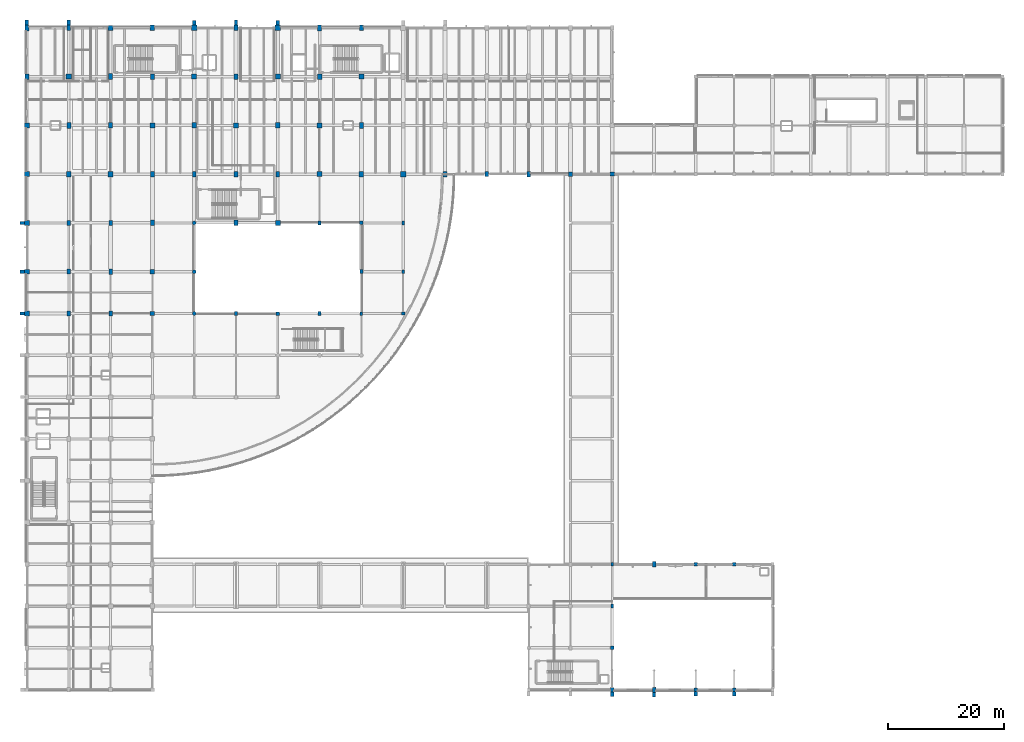
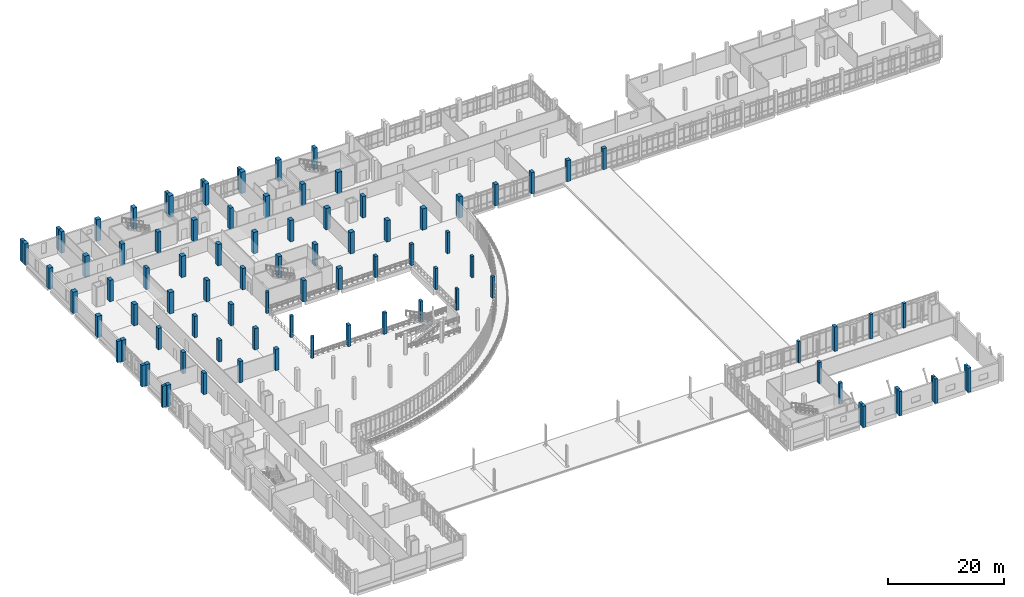
# One storey, part 6 of 134: 91 columns.
"""IFC4 building model written with IfcOpenShell, lengths in metres."""

from ifc_helpers import new_model, si_unit, direction, frame, origin, origin_2d, place, context, subcontext, project, spatial, rectangle, circle, extrude, material, material_profile, profile_set, type_object, element, save


model = new_model("IFC4")

# Units and contexts
model_context = context("Model", 3, precision=1e-05, world=origin(), true_north=direction((0.0, 1.0)))
body_context = subcontext(model_context, "Body", "Model", "MODEL_VIEW")
ifc_project = project(units=[si_unit("LENGTHUNIT", "METRE"), si_unit("AREAUNIT", "SQUARE_METRE"), si_unit("VOLUMEUNIT", "CUBIC_METRE"), si_unit("PLANEANGLEUNIT", "RADIAN"), si_unit("MASSUNIT", "GRAM", prefix="KILO")], contexts=[model_context])

# Site, building, storey
site_placement = place(None, origin())
site = spatial("IfcSite", under=ifc_project, at=site_placement, CompositionType="ELEMENT")
building_placement = place(site_placement, origin())
building = spatial("IfcBuilding", under=site, at=building_placement, Name="Kalluvel Institute of Natural Sciences", CompositionType="ELEMENT")
storey_placement = place(building_placement, frame((0.0, 0.0, 5.39990234375)))
storey = spatial("IfcBuildingStorey", under=building, at=storey_placement, Name="L01", CompositionType="ELEMENT", Elevation=5.39990234375)

# Columns
ifc_material_1 = material(Name="Concrete M40", Category="concrete")
ifc_material_profile_1 = material_profile(ifc_material_1, rectangle(XDim=0.449951171875, YDim=0.60009765625, at=origin_2d()), Name="RC 450x600")
ifc_profile_set_1 = profile_set([ifc_material_profile_1], Name="Concrete M40")
column_type_1 = type_object("IfcColumnType", Name="COL-RC450x600", PredefinedType="COLUMN", material=ifc_profile_set_1)
for number, where, z_axis, x_axis, name in (
    (1, (71.60009765625, 78.800048828125, 0.0), (0.0, 0.0, 1.0), (1.0, 0.0, 0.0), "L01 structural column COL-L01-X716-Y788"),
    (2, (78.800048828125, 86.0, 0.0), (0.0, 0.0, 1.0), (1.0, 0.0, 0.0), "L01 structural column COL-L01-X788-Y860"),
    (3, (114.800048828125, 35.60009765625, 0.0), (0.0, 0.0, 1.0), (1.0, 0.0, 0.0), "L01 structural column COL-L01-X1148-Y356"),
):
    element("IfcColumn", number, at=place(storey_placement, frame(where, z_axis=z_axis, x_axis=x_axis)), inside=storey, type_object=column_type_1, Name=name, PredefinedType="COLUMN", context=body_context, shape_type="SweptSolid", body=[
        extrude(rectangle(XDim=0.449951171875, YDim=0.60009765625, at=origin_2d()), origin(), (0.0, 0.0, 1.0), 4.5),
    ])
ifc_material_profile_2 = material_profile(ifc_material_1, rectangle(XDim=0.5, YDim=0.699951171875, at=origin_2d()), Name="RC 500x700")
ifc_profile_set_2 = profile_set([ifc_material_profile_2], Name="Concrete M40")
column_type_2 = type_object("IfcColumnType", Name="COL-RC500x700", PredefinedType="COLUMN", material=ifc_profile_set_2)
for number, where, z_axis, x_axis, name in (
    (4, (64.39990234375, 78.800048828125, 0.0), (0.0, 0.0, 1.0), (1.0, 0.0, 0.0), "L01 structural column COL-L01-X644-Y788"),
    (5, (71.60009765625, 86.0, 0.0), (0.0, 0.0, 1.0), (1.0, 0.0, 0.0), "L01 structural column COL-L01-X716-Y860"),
    (6, (78.800048828125, 94.39990234375, 0.0), (0.0, 0.0, 1.0), (1.0, 0.0, 0.0), "L01 structural column COL-L01-X788-Y944"),
    (7, (114.800048828125, 28.39990234375, 0.0), (0.0, 0.0, 1.0), (1.0, 0.0, 0.0), "L01 structural column COL-L01-X1148-Y284"),
):
    element("IfcColumn", number, at=place(storey_placement, frame(where, z_axis=z_axis, x_axis=x_axis)), inside=storey, type_object=column_type_2, Name=name, PredefinedType="COLUMN", context=body_context, shape_type="SweptSolid", body=[
        extrude(rectangle(XDim=0.5, YDim=0.699951171875, at=origin_2d()), origin(), (0.0, 0.0, 1.0), 4.5),
    ])
ifc_material_profile_3 = material_profile(ifc_material_1, rectangle(XDim=0.550048828125, YDim=0.550048828125, at=origin_2d()), Name="RC 550x550")
ifc_profile_set_3 = profile_set([ifc_material_profile_3], Name="Concrete M40")
column_type_3 = type_object("IfcColumnType", Name="COL-RC550", PredefinedType="COLUMN", material=ifc_profile_set_3)
column_1_placement = place(storey_placement, frame((78.800048828125, 78.800048828125, 0.0), z_axis=(0.0, 0.0, 1.0), x_axis=(1.0, 0.0, 0.0)))
element("IfcColumn", 8, at=column_1_placement, inside=storey, type_object=column_type_3, Name="L01 structural column COL-L01-X788-Y788", PredefinedType="COLUMN", context=body_context, shape_type="SweptSolid", body=[
    extrude(rectangle(XDim=0.550048828125, YDim=0.550048828125, at=origin_2d()), origin(), (0.0, 0.0, 1.0), 4.5),
])
for number, where, z_axis, x_axis, name in (
    (9, (129.199951171875, 14.0, 0.0), (0.0, 0.0, 1.0), (1.0, 0.0, 0.0), "L01 structural column COL-L01-X1292-Y140"),
    (10, (129.199951171875, 35.60009765625, 0.0), (0.0, 0.0, 1.0), (1.0, 0.0, 0.0), "L01 structural column COL-L01-X1292-Y356"),
    (11, (135.800048828125, 14.0, 0.0), (0.0, 0.0, 1.0), (1.0, 0.0, 0.0), "L01 structural column COL-L01-X1358-Y140"),
    (12, (135.800048828125, 35.60009765625, 0.0), (0.0, 0.0, 1.0), (1.0, 0.0, 0.0), "L01 structural column COL-L01-X1358-Y356"),
):
    element("IfcColumn", number, at=place(storey_placement, frame(where, z_axis=z_axis, x_axis=x_axis)), inside=storey, type_object=column_type_3, Name=name, PredefinedType="COLUMN", context=body_context, shape_type="SweptSolid", body=[
        extrude(rectangle(XDim=0.550048828125, YDim=0.550048828125, at=origin_2d()), origin(), (0.0, 0.0, 1.0), 5.150146484375),
    ])
ifc_material_profile_4 = material_profile(ifc_material_1, rectangle(XDim=0.550048828125, YDim=0.75, at=origin_2d()), Name="RC 550x750")
ifc_profile_set_4 = profile_set([ifc_material_profile_4], Name="Concrete M40")
column_type_4 = type_object("IfcColumnType", Name="COL-RC550x750", PredefinedType="COLUMN", material=ifc_profile_set_4)
for number, where, z_axis, x_axis, name in (
    (13, (50.0, 78.800048828125, 0.0), (0.0, 0.0, 1.0), (1.0, 0.0, 0.0), "L01 structural column COL-L01-X500-Y788"),
    (14, (64.39990234375, 94.39990234375, 0.0), (0.0, 0.0, 1.0), (1.0, 0.0, 0.0), "L01 structural column COL-L01-X644-Y944"),
    (15, (114.800048828125, 14.0, 0.0), (0.0, 0.0, 1.0), (1.0, 0.0, 0.0), "L01 structural column COL-L01-X1148-Y140"),
):
    element("IfcColumn", number, at=place(storey_placement, frame(where, z_axis=z_axis, x_axis=x_axis)), inside=storey, type_object=column_type_4, Name=name, PredefinedType="COLUMN", context=body_context, shape_type="SweptSolid", body=[
        extrude(rectangle(XDim=0.550048828125, YDim=0.75, at=origin_2d()), origin(), (0.0, 0.0, 1.0), 4.5),
    ])
ifc_material_profile_5 = material_profile(ifc_material_1, rectangle(XDim=0.60009765625, YDim=0.60009765625, at=origin_2d()), Name="RC 600x600")
ifc_profile_set_5 = profile_set([ifc_material_profile_5], Name="Concrete M40")
column_type_5 = type_object("IfcColumnType", Name="COL-RC600", PredefinedType="COLUMN", material=ifc_profile_set_5)
for number, where, z_axis, x_axis, name in (
    (16, (57.199951171875, 78.800048828125, 0.0), (0.0, 0.0, 1.0), (1.0, 0.0, 0.0), "L01 structural column COL-L01-X572-Y788"),
    (17, (71.60009765625, 94.39990234375, 0.0), (0.0, 0.0, 1.0), (1.0, 0.0, 0.0), "L01 structural column COL-L01-X716-Y944"),
    (18, (114.800048828125, 21.199951171875, 0.0), (0.0, 0.0, 1.0), (1.0, 0.0, 0.0), "L01 structural column COL-L01-X1148-Y212"),
):
    element("IfcColumn", number, at=place(storey_placement, frame(where, z_axis=z_axis, x_axis=x_axis)), inside=storey, type_object=column_type_5, Name=name, PredefinedType="COLUMN", context=body_context, shape_type="SweptSolid", body=[
        extrude(rectangle(XDim=0.60009765625, YDim=0.60009765625, at=origin_2d()), origin(), (0.0, 0.0, 1.0), 4.5),
    ])
ifc_material_2 = material(Name="Concrete M50", Category="concrete")
ifc_material_profile_6 = material_profile(ifc_material_2, rectangle(XDim=0.60009765625, YDim=0.89990234375, at=origin_2d()), Name="RC 600x900")
ifc_profile_set_6 = profile_set([ifc_material_profile_6], Name="Concrete M50")
column_type_6 = type_object("IfcColumnType", Name="COL-RC600x900", PredefinedType="COLUMN", material=ifc_profile_set_6)
for number, where, z_axis, x_axis, name in (
    (19, (28.39990234375, 78.800048828125, 0.0), (0.0, 0.0, 1.0), (1.0, 0.0, 0.0), "L01 structural column COL-L01-X284-Y788"),
    (20, (28.39990234375, 86.0, 0.0), (0.0, 0.0, 1.0), (1.0, 0.0, 0.0), "L01 structural column COL-L01-X284-Y860"),
    (21, (28.39990234375, 94.39990234375, 0.0), (0.0, 0.0, 1.0), (1.0, 0.0, 0.0), "L01 structural column COL-L01-X284-Y944"),
    (22, (100.39990234375, 102.800048828125, 0.0), (0.0, 0.0, 1.0), (1.0, 0.0, 0.0), "L01 structural column COL-L01-X1004-Y1028"),
):
    element("IfcColumn", number, at=place(storey_placement, frame(where, z_axis=z_axis, x_axis=x_axis)), inside=storey, type_object=column_type_6, Name=name, PredefinedType="COLUMN", context=body_context, shape_type="SweptSolid", body=[
        extrude(rectangle(XDim=0.60009765625, YDim=0.89990234375, at=origin_2d()), origin(), (0.0, 0.0, 1.0), 4.5),
    ])
for number, where, z_axis, x_axis, name in (
    (23, (122.0, 14.0, 0.0), (0.0, 0.0, 1.0), (1.0, 0.0, 0.0), "L01 structural column COL-L01-X1220-Y140"),
    (24, (122.0, 35.60009765625, 0.0), (0.0, 0.0, 1.0), (1.0, 0.0, 0.0), "L01 structural column COL-L01-X1220-Y356"),
):
    element("IfcColumn", number, at=place(storey_placement, frame(where, z_axis=z_axis, x_axis=x_axis)), inside=storey, type_object=column_type_6, Name=name, PredefinedType="COLUMN", context=body_context, shape_type="SweptSolid", body=[
        extrude(rectangle(XDim=0.60009765625, YDim=0.89990234375, at=origin_2d()), origin(), (0.0, 0.0, 1.0), 5.150146484375),
    ])
ifc_material_profile_7 = material_profile(ifc_material_2, rectangle(XDim=0.64990234375, YDim=0.85009765625, at=origin_2d()), Name="RC 650x850")
ifc_profile_set_7 = profile_set([ifc_material_profile_7], Name="Concrete M50")
column_type_7 = type_object("IfcColumnType", Name="COL-RC650x850", PredefinedType="COLUMN", material=ifc_profile_set_7)
for number, where, z_axis, x_axis, name in (
    (25, (21.199951171875, 78.800048828125, 0.0), (0.0, 0.0, 1.0), (1.0, 0.0, 0.0), "L01 structural column COL-L01-X212-Y788"),
    (26, (21.199951171875, 86.0, 0.0), (0.0, 0.0, 1.0), (1.0, 0.0, 0.0), "L01 structural column COL-L01-X212-Y860"),
    (27, (21.199951171875, 94.39990234375, 0.0), (0.0, 0.0, 1.0), (1.0, 0.0, 0.0), "L01 structural column COL-L01-X212-Y944"),
    (28, (93.199951171875, 102.800048828125, 0.0), (0.0, 0.0, 1.0), (1.0, 0.0, 0.0), "L01 structural column COL-L01-X932-Y1028"),
):
    element("IfcColumn", number, at=place(storey_placement, frame(where, z_axis=z_axis, x_axis=x_axis)), inside=storey, type_object=column_type_7, Name=name, PredefinedType="COLUMN", context=body_context, shape_type="SweptSolid", body=[
        extrude(rectangle(XDim=0.64990234375, YDim=0.85009765625, at=origin_2d()), origin(), (0.0, 0.0, 1.0), 4.5),
    ])
ifc_material_profile_8 = material_profile(ifc_material_2, rectangle(XDim=0.64990234375, YDim=0.949951171875, at=origin_2d()), Name="RC 650x950")
ifc_profile_set_8 = profile_set([ifc_material_profile_8], Name="Concrete M50")
column_type_8 = type_object("IfcColumnType", Name="COL-RC650x950", PredefinedType="COLUMN", material=ifc_profile_set_8)
for number, where, z_axis, x_axis, name in (
    (29, (21.199951171875, 128.0, 0.0), (0.0, 0.0, 1.0), (1.0, 0.0, 0.0), "L01 structural column COL-L01-X212-Y1280"),
    (30, (28.39990234375, 111.199951171875, 0.0), (0.0, 0.0, 1.0), (1.0, 0.0, 0.0), "L01 structural column COL-L01-X284-Y1112"),
    (31, (35.60009765625, 94.39990234375, 0.0), (0.0, 0.0, 1.0), (1.0, 0.0, 0.0), "L01 structural column COL-L01-X356-Y944"),
    (32, (35.60009765625, 119.60009765625, 0.0), (0.0, 0.0, 1.0), (1.0, 0.0, 0.0), "L01 structural column COL-L01-X356-Y1196"),
    (33, (42.800048828125, 102.800048828125, 0.0), (0.0, 0.0, 1.0), (1.0, 0.0, 0.0), "L01 structural column COL-L01-X428-Y1028"),
    (34, (50.0, 94.39990234375, 0.0), (0.0, 0.0, 1.0), (1.0, 0.0, 0.0), "L01 structural column COL-L01-X500-Y944"),
    (35, (50.0, 119.60009765625, 0.0), (0.0, 0.0, 1.0), (1.0, 0.0, 0.0), "L01 structural column COL-L01-X500-Y1196"),
    (36, (57.199951171875, 102.800048828125, 0.0), (0.0, 0.0, 1.0), (1.0, 0.0, 0.0), "L01 structural column COL-L01-X572-Y1028"),
    (37, (71.60009765625, 128.0, 0.0), (0.0, 0.0, 1.0), (1.0, 0.0, 0.0), "L01 structural column COL-L01-X716-Y1280"),
):
    element("IfcColumn", number, at=place(storey_placement, frame(where, z_axis=z_axis, x_axis=x_axis)), inside=storey, type_object=column_type_8, Name=name, PredefinedType="COLUMN", context=body_context, shape_type="SweptSolid", body=[
        extrude(rectangle(XDim=0.64990234375, YDim=0.949951171875, at=origin_2d()), origin(), (0.0, 0.0, 1.0), 4.5),
    ])
ifc_material_profile_9 = material_profile(ifc_material_1, rectangle(XDim=0.699951171875, YDim=0.699951171875, at=origin_2d()), Name="RC 700x700")
ifc_profile_set_9 = profile_set([ifc_material_profile_9], Name="Concrete M40")
column_type_9 = type_object("IfcColumnType", Name="COL-RC700", PredefinedType="COLUMN", material=ifc_profile_set_9)
column_2_placement = place(storey_placement, frame((114.800048828125, 102.800048828125, 0.0), z_axis=(0.0, 0.0, 1.0), x_axis=(1.0, 0.0, 0.0)))
element("IfcColumn", 38, at=column_2_placement, inside=storey, type_object=column_type_9, Name="L01 structural column COL-L01-X1148-Y1028", PredefinedType="COLUMN", context=body_context, shape_type="SweptSolid", body=[
    extrude(rectangle(XDim=0.699951171875, YDim=0.699951171875, at=origin_2d()), origin(), (0.0, 0.0, 1.0), 4.5),
])
ifc_material_profile_10 = material_profile(ifc_material_2, rectangle(XDim=0.699951171875, YDim=1.0, at=origin_2d()), Name="RC 700x1000")
ifc_profile_set_10 = profile_set([ifc_material_profile_10], Name="Concrete M50")
column_type_10 = type_object("IfcColumnType", Name="COL-RC700x1000", PredefinedType="COLUMN", material=ifc_profile_set_10)
for number, where, z_axis, x_axis, name in (
    (39, (14.0, 128.0, 0.0), (0.0, 0.0, 1.0), (1.0, 0.0, 0.0), "L01 structural column COL-L01-X140-Y1280"),
    (40, (21.199951171875, 111.199951171875, 0.0), (0.0, 0.0, 1.0), (1.0, 0.0, 0.0), "L01 structural column COL-L01-X212-Y1112"),
    (41, (28.39990234375, 119.60009765625, 0.0), (0.0, 0.0, 1.0), (1.0, 0.0, 0.0), "L01 structural column COL-L01-X284-Y1196"),
    (42, (35.60009765625, 102.800048828125, 0.0), (0.0, 0.0, 1.0), (1.0, 0.0, 0.0), "L01 structural column COL-L01-X356-Y1028"),
    (43, (50.0, 102.800048828125, 0.0), (0.0, 0.0, 1.0), (1.0, 0.0, 0.0), "L01 structural column COL-L01-X500-Y1028"),
    (44, (64.39990234375, 128.0, 0.0), (0.0, 0.0, 1.0), (1.0, 0.0, 0.0), "L01 structural column COL-L01-X644-Y1280"),
    (45, (71.60009765625, 111.199951171875, 0.0), (0.0, 0.0, 1.0), (1.0, 0.0, 0.0), "L01 structural column COL-L01-X716-Y1112"),
):
    element("IfcColumn", number, at=place(storey_placement, frame(where, z_axis=z_axis, x_axis=x_axis)), inside=storey, type_object=column_type_10, Name=name, PredefinedType="COLUMN", context=body_context, shape_type="SweptSolid", body=[
        extrude(rectangle(XDim=0.699951171875, YDim=1.0, at=origin_2d()), origin(), (0.0, 0.0, 1.0), 4.5),
    ])
ifc_material_profile_11 = material_profile(ifc_material_2, rectangle(XDim=0.75, YDim=0.75, at=origin_2d()), Name="RC 750x750")
ifc_profile_set_11 = profile_set([ifc_material_profile_11], Name="Concrete M50")
column_type_11 = type_object("IfcColumnType", Name="COL-RC750", PredefinedType="COLUMN", material=ifc_profile_set_11)
for number, where, z_axis, x_axis, name in (
    (46, (35.60009765625, 78.800048828125, 0.0), (0.0, 0.0, 1.0), (1.0, 0.0, 0.0), "L01 structural column COL-L01-X356-Y788"),
    (47, (35.60009765625, 86.0, 0.0), (0.0, 0.0, 1.0), (1.0, 0.0, 0.0), "L01 structural column COL-L01-X356-Y860"),
    (48, (107.60009765625, 102.800048828125, 0.0), (0.0, 0.0, 1.0), (1.0, 0.0, 0.0), "L01 structural column COL-L01-X1076-Y1028"),
):
    element("IfcColumn", number, at=place(storey_placement, frame(where, z_axis=z_axis, x_axis=x_axis)), inside=storey, type_object=column_type_11, Name=name, PredefinedType="COLUMN", context=body_context, shape_type="SweptSolid", body=[
        extrude(rectangle(XDim=0.75, YDim=0.75, at=origin_2d()), origin(), (0.0, 0.0, 1.0), 4.5),
    ])
ifc_material_profile_12 = material_profile(ifc_material_2, rectangle(XDim=0.75, YDim=0.949951171875, at=origin_2d()), Name="RC 750x950")
ifc_profile_set_12 = profile_set([ifc_material_profile_12], Name="Concrete M50")
column_type_12 = type_object("IfcColumnType", Name="COL-RC750x950", PredefinedType="COLUMN", material=ifc_profile_set_12)
for number, where, z_axis, x_axis, name in (
    (49, (14.0, 119.60009765625, 0.0), (0.0, 0.0, 1.0), (1.0, 0.0, 0.0), "L01 structural column COL-L01-X140-Y1196"),
    (50, (21.199951171875, 102.800048828125, 0.0), (0.0, 0.0, 1.0), (1.0, 0.0, 0.0), "L01 structural column COL-L01-X212-Y1028"),
    (51, (35.60009765625, 128.0, 0.0), (0.0, 0.0, 1.0), (1.0, 0.0, 0.0), "L01 structural column COL-L01-X356-Y1280"),
    (52, (42.800048828125, 111.199951171875, 0.0), (0.0, 0.0, 1.0), (1.0, 0.0, 0.0), "L01 structural column COL-L01-X428-Y1112"),
    (53, (50.0, 128.0, 0.0), (0.0, 0.0, 1.0), (1.0, 0.0, 0.0), "L01 structural column COL-L01-X500-Y1280"),
    (54, (57.199951171875, 111.199951171875, 0.0), (0.0, 0.0, 1.0), (1.0, 0.0, 0.0), "L01 structural column COL-L01-X572-Y1112"),
    (55, (64.39990234375, 119.60009765625, 0.0), (0.0, 0.0, 1.0), (1.0, 0.0, 0.0), "L01 structural column COL-L01-X644-Y1196"),
    (56, (71.60009765625, 102.800048828125, 0.0), (0.0, 0.0, 1.0), (1.0, 0.0, 0.0), "L01 structural column COL-L01-X716-Y1028"),
    (57, (86.0, 102.800048828125, 0.0), (0.0, 0.0, 1.0), (1.0, 0.0, 0.0), "L01 structural column COL-L01-X860-Y1028"),
):
    element("IfcColumn", number, at=place(storey_placement, frame(where, z_axis=z_axis, x_axis=x_axis)), inside=storey, type_object=column_type_12, Name=name, PredefinedType="COLUMN", context=body_context, shape_type="SweptSolid", body=[
        extrude(rectangle(XDim=0.75, YDim=0.949951171875, at=origin_2d()), origin(), (0.0, 0.0, 1.0), 4.5),
    ])
ifc_material_profile_13 = material_profile(ifc_material_2, rectangle(XDim=0.800048828125, YDim=0.800048828125, at=origin_2d()), Name="RC 800x800")
ifc_profile_set_13 = profile_set([ifc_material_profile_13], Name="Concrete M50")
column_type_13 = type_object("IfcColumnType", Name="COL-RC800", PredefinedType="COLUMN", material=ifc_profile_set_13)
for number, where, z_axis, x_axis, name in (
    (58, (14.0, 78.800048828125, 0.0), (0.0, 0.0, 1.0), (1.0, 0.0, 0.0), "L01 structural column COL-L01-X140-Y788"),
    (59, (14.0, 86.0, 0.0), (0.0, 0.0, 1.0), (1.0, 0.0, 0.0), "L01 structural column COL-L01-X140-Y860"),
    (60, (14.0, 94.39990234375, 0.0), (0.0, 0.0, 1.0), (1.0, 0.0, 0.0), "L01 structural column COL-L01-X140-Y944"),
):
    element("IfcColumn", number, at=place(storey_placement, frame(where, z_axis=z_axis, x_axis=x_axis)), inside=storey, type_object=column_type_13, Name=name, PredefinedType="COLUMN", context=body_context, shape_type="SweptSolid", body=[
        extrude(rectangle(XDim=0.800048828125, YDim=0.800048828125, at=origin_2d()), origin(), (0.0, 0.0, 1.0), 4.5),
    ])
ifc_material_profile_14 = material_profile(ifc_material_2, rectangle(XDim=0.85009765625, YDim=0.85009765625, at=origin_2d()), Name="RC 850x850")
ifc_profile_set_14 = profile_set([ifc_material_profile_14], Name="Concrete M50")
column_type_14 = type_object("IfcColumnType", Name="COL-RC850", PredefinedType="COLUMN", material=ifc_profile_set_14)
for number, where, z_axis, x_axis, name in (
    (61, (14.0, 102.800048828125, 0.0), (0.0, 0.0, 1.0), (1.0, 0.0, 0.0), "L01 structural column COL-L01-X140-Y1028"),
    (62, (28.39990234375, 128.0, 0.0), (0.0, 0.0, 1.0), (1.0, 0.0, 0.0), "L01 structural column COL-L01-X284-Y1280"),
    (63, (35.60009765625, 111.199951171875, 0.0), (0.0, 0.0, 1.0), (1.0, 0.0, 0.0), "L01 structural column COL-L01-X356-Y1112"),
    (64, (42.800048828125, 119.60009765625, 0.0), (0.0, 0.0, 1.0), (1.0, 0.0, 0.0), "L01 structural column COL-L01-X428-Y1196"),
    (65, (50.0, 111.199951171875, 0.0), (0.0, 0.0, 1.0), (1.0, 0.0, 0.0), "L01 structural column COL-L01-X500-Y1112"),
    (66, (57.199951171875, 94.39990234375, 0.0), (0.0, 0.0, 1.0), (1.0, 0.0, 0.0), "L01 structural column COL-L01-X572-Y944"),
    (67, (57.199951171875, 119.60009765625, 0.0), (0.0, 0.0, 1.0), (1.0, 0.0, 0.0), "L01 structural column COL-L01-X572-Y1196"),
    (68, (64.39990234375, 102.800048828125, 0.0), (0.0, 0.0, 1.0), (1.0, 0.0, 0.0), "L01 structural column COL-L01-X644-Y1028"),
):
    element("IfcColumn", number, at=place(storey_placement, frame(where, z_axis=z_axis, x_axis=x_axis)), inside=storey, type_object=column_type_14, Name=name, PredefinedType="COLUMN", context=body_context, shape_type="SweptSolid", body=[
        extrude(rectangle(XDim=0.85009765625, YDim=0.85009765625, at=origin_2d()), origin(), (0.0, 0.0, 1.0), 4.5),
    ])
ifc_material_profile_15 = material_profile(ifc_material_2, rectangle(XDim=0.89990234375, YDim=0.89990234375, at=origin_2d()), Name="RC 900x900")
ifc_profile_set_15 = profile_set([ifc_material_profile_15], Name="Concrete M50")
column_type_15 = type_object("IfcColumnType", Name="COL-RC900", PredefinedType="COLUMN", material=ifc_profile_set_15)
for number, where, z_axis, x_axis, name in (
    (69, (14.0, 111.199951171875, 0.0), (0.0, 0.0, 1.0), (1.0, 0.0, 0.0), "L01 structural column COL-L01-X140-Y1112"),
    (70, (21.199951171875, 119.60009765625, 0.0), (0.0, 0.0, 1.0), (1.0, 0.0, 0.0), "L01 structural column COL-L01-X212-Y1196"),
    (71, (28.39990234375, 102.800048828125, 0.0), (0.0, 0.0, 1.0), (1.0, 0.0, 0.0), "L01 structural column COL-L01-X284-Y1028"),
    (72, (42.800048828125, 128.0, 0.0), (0.0, 0.0, 1.0), (1.0, 0.0, 0.0), "L01 structural column COL-L01-X428-Y1280"),
    (73, (57.199951171875, 128.0, 0.0), (0.0, 0.0, 1.0), (1.0, 0.0, 0.0), "L01 structural column COL-L01-X572-Y1280"),
    (74, (64.39990234375, 111.199951171875, 0.0), (0.0, 0.0, 1.0), (1.0, 0.0, 0.0), "L01 structural column COL-L01-X644-Y1112"),
    (75, (71.60009765625, 119.60009765625, 0.0), (0.0, 0.0, 1.0), (1.0, 0.0, 0.0), "L01 structural column COL-L01-X716-Y1196"),
    (76, (78.800048828125, 102.800048828125, 0.0), (0.0, 0.0, 1.0), (1.0, 0.0, 0.0), "L01 structural column COL-L01-X788-Y1028"),
):
    element("IfcColumn", number, at=place(storey_placement, frame(where, z_axis=z_axis, x_axis=x_axis)), inside=storey, type_object=column_type_15, Name=name, PredefinedType="COLUMN", context=body_context, shape_type="SweptSolid", body=[
        extrude(rectangle(XDim=0.89990234375, YDim=0.89990234375, at=origin_2d()), origin(), (0.0, 0.0, 1.0), 4.5),
    ])
ifc_material_profile_16 = material_profile(ifc_material_1, circle(Radius=0.324951171875, at=origin_2d()), Name="RCCOL D650")
ifc_profile_set_16 = profile_set([ifc_material_profile_16], Name="Concrete M40")
column_type_16 = type_object("IfcColumnType", Name="COL-RCD650", PredefinedType="COLUMN", material=ifc_profile_set_16)
for number, where, z_axis, x_axis, name in (
    (77, (42.800048828125, 78.800048828125, 0.0), (0.0, 0.0, 1.0), (1.0, 0.0, 0.0), "L01 structural column COL-L01-X428-Y788"),
    (78, (42.800048828125, 86.0, 0.0), (0.0, 0.0, 1.0), (1.0, 0.0, 0.0), "L01 structural column COL-L01-X428-Y860"),
    (79, (42.800048828125, 94.39990234375, 0.0), (0.0, 0.0, 1.0), (1.0, 0.0, 0.0), "L01 structural column COL-L01-X428-Y944"),
):
    element("IfcColumn", number, at=place(storey_placement, frame(where, z_axis=z_axis, x_axis=x_axis)), inside=storey, type_object=column_type_16, Name=name, PredefinedType="COLUMN", context=body_context, shape_type="SweptSolid", body=[
        extrude(circle(Radius=0.324951171875, at=origin_2d()), origin(), (0.0, 0.0, 1.0), 4.5),
    ])
ifc_material_3 = material(Name="Sadarahalli Granite Precast Concrete M45", Category="masonry")
ifc_material_profile_17 = material_profile(ifc_material_3, rectangle(XDim=0.550048828125, YDim=0.800048828125, at=origin_2d()), Name="PIL 550x800")
ifc_profile_set_17 = profile_set([ifc_material_profile_17], Name="Sadarahalli Granite Precast Concrete M45")
column_type_17 = type_object("IfcColumnType", Name="PIL-550x800", PredefinedType="PILASTER", material=ifc_profile_set_17)
for number, where, z_axis, x_axis, name in (
    (80, (13.197021484375, 78.800048828125, 0.0), (0.0, 0.0, 1.0), (0.0, 1.0, 0.0), "L01 Gothic stepped Sadarahalli granite buttress 111"),
    (81, (13.197021484375, 86.0, 0.0), (0.0, 0.0, 1.0), (0.0, 1.0, 0.0), "L01 Gothic stepped Sadarahalli granite buttress 119"),
    (82, (13.197021484375, 94.39990234375, 0.0), (0.0, 0.0, 1.0), (0.0, 1.0, 0.0), "L01 Gothic stepped Sadarahalli granite buttress 127"),
    (83, (114.800048828125, 13.221923828125, 0.0), (0.0, 0.0, 1.0), (1.0, 0.0, 0.0), "L01 Lecture and Commons Gothic stone buttress 145"),
):
    element("IfcColumn", number, at=place(storey_placement, frame(where, z_axis=z_axis, x_axis=x_axis)), inside=storey, type_object=column_type_17, Name=name, PredefinedType="PILASTER", context=body_context, shape_type="SweptSolid", body=[
        extrude(rectangle(XDim=0.550048828125, YDim=0.800048828125, at=origin_2d()), origin(), (0.0, 0.0, 1.0), 4.5),
    ])
for number, where, z_axis, x_axis, name in (
    (84, (122.0, 13.14697265625, 0.0), (0.0, 0.0, 1.0), (1.0, 0.0, 0.0), "L01 Lecture and Commons Gothic stone buttress 150"),
    (85, (129.199951171875, 13.322021484375, 0.0), (0.0, 0.0, 1.0), (1.0, 0.0, 0.0), "L01 Lecture and Commons Gothic stone buttress 153"),
    (86, (135.800048828125, 13.322021484375, 0.0), (0.0, 0.0, 1.0), (1.0, 0.0, 0.0), "L01 Lecture and Commons Gothic stone buttress 156"),
):
    element("IfcColumn", number, at=place(storey_placement, frame(where, z_axis=z_axis, x_axis=x_axis)), inside=storey, type_object=column_type_17, Name=name, PredefinedType="PILASTER", context=body_context, shape_type="SweptSolid", body=[
        extrude(rectangle(XDim=0.550048828125, YDim=0.800048828125, at=origin_2d()), origin(), (0.0, 0.0, 1.0), 5.150146484375),
    ])
ifc_material_profile_18 = material_profile(ifc_material_3, rectangle(XDim=0.60009765625, YDim=0.85009765625, at=origin_2d()), Name="PIL 600x850")
ifc_profile_set_18 = profile_set([ifc_material_profile_18], Name="Sadarahalli Granite Precast Concrete M45")
column_type_18 = type_object("IfcColumnType", Name="PIL-600x850", PredefinedType="PILASTER", material=ifc_profile_set_18)
for number, where, z_axis, x_axis, name in (
    (87, (14.0, 128.927978515625, 0.0), (0.0, 0.0, 1.0), (1.0, 0.0, 0.0), "L01 Gothic stepped Sadarahalli granite buttress 3"),
    (88, (21.199951171875, 128.903076171875, 0.0), (0.0, 0.0, 1.0), (1.0, 0.0, 0.0), "L01 Gothic stepped Sadarahalli granite buttress 13"),
    (89, (42.800048828125, 128.8779296875, 0.0), (0.0, 0.0, 1.0), (1.0, 0.0, 0.0), "L01 Gothic stepped Sadarahalli granite buttress 23"),
    (90, (50.0, 128.903076171875, 0.0), (0.0, 0.0, 1.0), (1.0, 0.0, 0.0), "L01 Gothic stepped Sadarahalli granite buttress 33"),
    (91, (57.199951171875, 128.8779296875, 0.0), (0.0, 0.0, 1.0), (1.0, 0.0, 0.0), "L01 Gothic stepped Sadarahalli granite buttress 43"),
):
    element("IfcColumn", number, at=place(storey_placement, frame(where, z_axis=z_axis, x_axis=x_axis)), inside=storey, type_object=column_type_18, Name=name, PredefinedType="PILASTER", context=body_context, shape_type="SweptSolid", body=[
        extrude(rectangle(XDim=0.60009765625, YDim=0.85009765625, at=origin_2d()), origin(), (0.0, 0.0, 1.0), 4.5),
    ])

save(model, "model.ifc")
